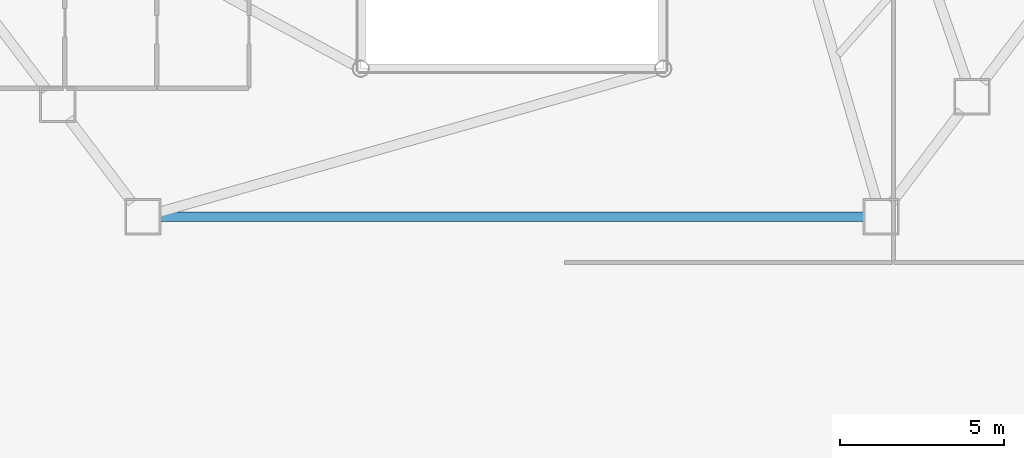
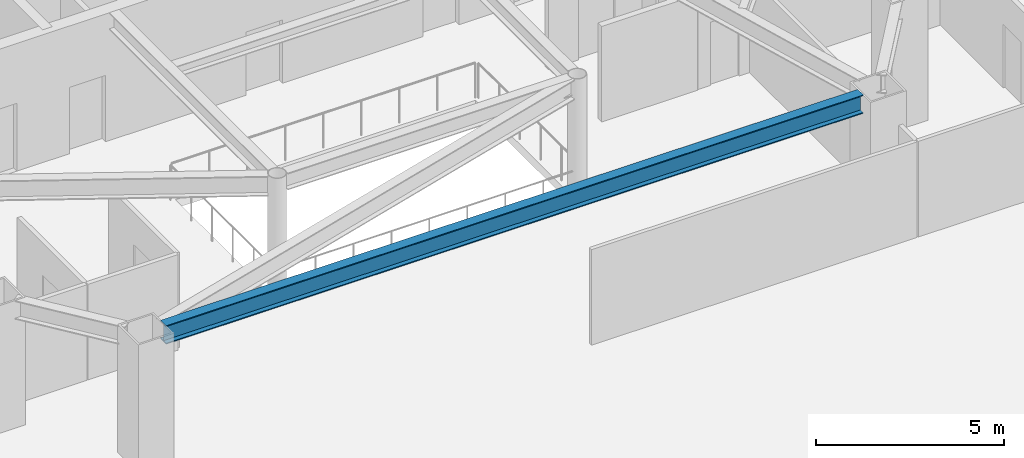
# One storey, part 15 of 43: 1 beam.
"""IFC4 building model written with IfcOpenShell, lengths in metres."""

from ifc_helpers import new_model, si_unit, direction, frame, origin, origin_2d, place, context, subcontext, project, spatial, i_section, extrude, material, material_profile, profile_set, type_object, element, save


model = new_model("IFC4")

# Units and contexts
model_context = context("Model", 3, precision=1e-05, world=origin(), true_north=direction((0.0, 1.0)))
body_context = subcontext(model_context, "Body", "Model", "MODEL_VIEW")
ifc_project = project(units=[si_unit("LENGTHUNIT", "METRE"), si_unit("AREAUNIT", "SQUARE_METRE"), si_unit("VOLUMEUNIT", "CUBIC_METRE"), si_unit("PLANEANGLEUNIT", "RADIAN"), si_unit("MASSUNIT", "GRAM", prefix="KILO")], contexts=[model_context])

# Site, building, storey
site_placement = place(None, origin())
site = spatial("IfcSite", under=ifc_project, at=site_placement, CompositionType="ELEMENT")
building_placement = place(site_placement, origin())
building = spatial("IfcBuilding", under=site, at=building_placement, Name="Zarrinselat Tower", CompositionType="ELEMENT")
storey_placement = place(building_placement, frame((0.0, 0.0, 5.10009765625)))
storey = spatial("IfcBuildingStorey", under=building, at=storey_placement, Name="L01", CompositionType="ELEMENT", Elevation=5.10009765625)

# Beam
ifc_material = material(Name="Steel S355J2", Category="steel")
ifc_material_profile = material_profile(ifc_material, i_section(OverallWidth=0.300048828125, OverallDepth=0.60009765625, WebThickness=0.015380859375, FlangeThickness=0.030029296875, at=origin_2d()), Name="HEB 600")
ifc_profile_set = profile_set([ifc_material_profile], Name="Steel S355J2")
beam_type = type_object("IfcBeamType", Name="BM-HEB600", PredefinedType="BEAM", material=ifc_profile_set)
beam_placement = place(storey_placement, frame((27.7109375, 19.89599609375, 3.83984375), z_axis=(1.0, 0.0, 0.0), x_axis=(0.0, 1.0, 0.0)))
element("IfcBeam", 1, at=beam_placement, inside=storey, type_object=beam_type, Name="L01 Perimeter Spandrel Girder SP10", PredefinedType="BEAM", context=body_context, shape_type="SweptSolid", body=[
    extrude(i_section(OverallWidth=0.300048828125, OverallDepth=0.60009765625, WebThickness=0.015380859375, FlangeThickness=0.030029296875, at=origin_2d()), origin(), (0.0, 0.0, 1.0), 21.378173828125),
])

save(model, "model.ifc")
